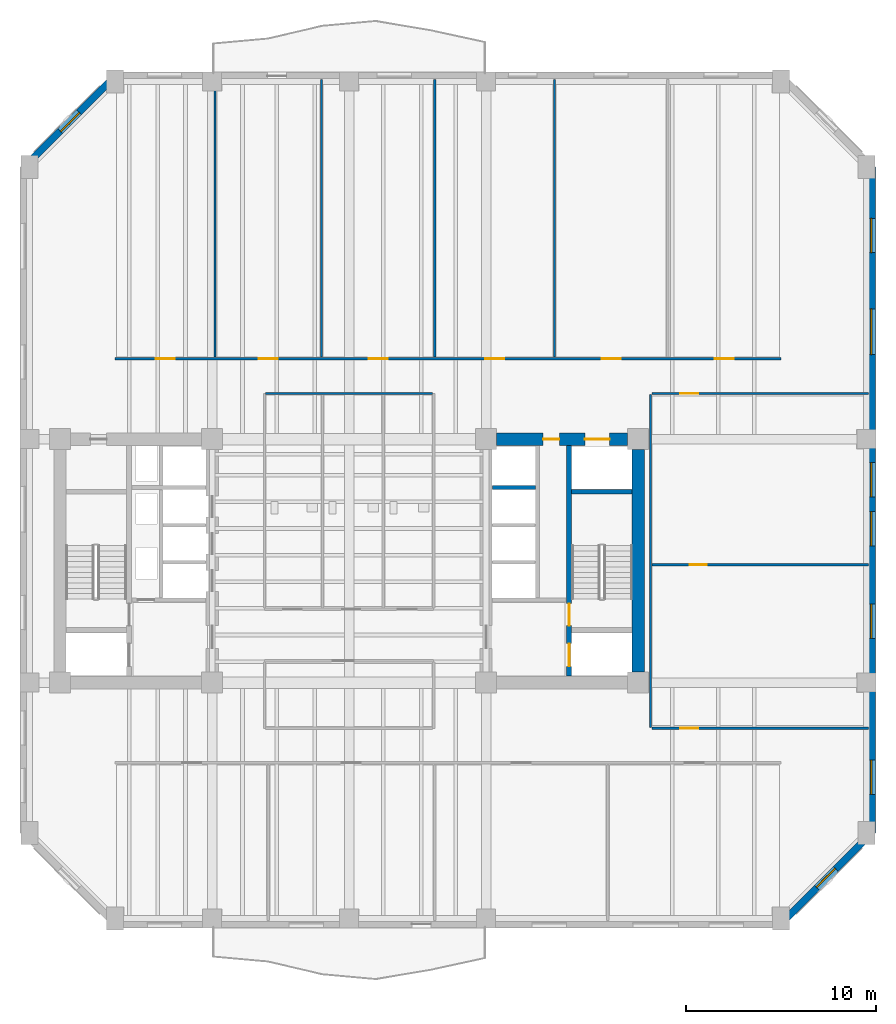
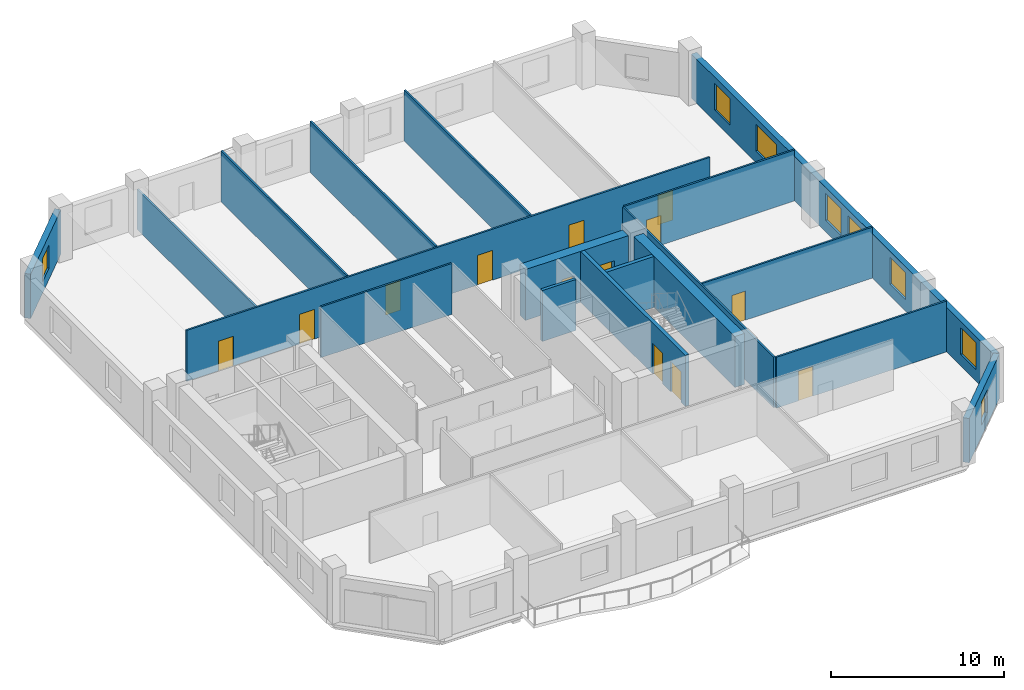
# One storey, part 4 of 9: 18 walls, 13 doors, 8 windows, 21 openings.
"""IFC4 building model written with IfcOpenShell, lengths in metres."""

import ifcopenshell
import ifcopenshell.guid

model = None  # the IFC model being written
_history = None  # IfcOwnerHistory: only IFC2X3 demands one
_inside = {}  # id of a spatial element -> (the spatial element, [elements in it])
_under = {}  # id of a project, library or spatial element -> (it, [spatial elements below it])
_declared = {}  # id of a project -> (the project, [libraries it declares])
_typed = {}  # id of a type object -> (the type object, [elements of that type])
_made_of = {}  # id of a material, layer set ... -> (it, [elements and type objects made of it])


def new_model(schema):
    """Start an empty IFC model of exactly this schema.

    Asked for "IFC4X3", IfcOpenShell would pick the latest addendum, in which some entities
    have other attributes; the version numbers below select the first issue.
    IFC2X3 requires an IfcOwnerHistory on every rooted entity: one is made here for all.
    """
    global model, _history
    if schema == "IFC4X3":
        model = ifcopenshell.file(schema_version=(4, 3, 0, 0))
    else:
        model = ifcopenshell.file(schema=schema)
    _inside.clear()
    _under.clear()
    _declared.clear()
    _typed.clear()
    _made_of.clear()
    _history = None
    if model.schema == "IFC2X3":
        org = make("IfcOrganization", Name="unknown")
        user = make(
            "IfcPersonAndOrganization",
            ThePerson=make("IfcPerson", FamilyName="unknown"),
            TheOrganization=org,
        )
        app = make(
            "IfcApplication",
            ApplicationDeveloper=org,
            Version="unknown",
            ApplicationFullName="unknown",
            ApplicationIdentifier="unknown",
        )
        _history = make(
            "IfcOwnerHistory",
            OwningUser=user,
            OwningApplication=app,
            ChangeAction="ADDED",
            CreationDate=0,
        )
    return model


def make(cls, **values):
    """One entity of the class cls with the attributes given. An attribute that is None is left unset."""
    return model.create_entity(
        cls, **{name: value for name, value in values.items() if value is not None}
    )


def rooted(cls, **values):
    """An entity with a GlobalId (a new one), such as an element, a storey or a relation."""
    return make(cls, GlobalId=ifcopenshell.guid.new(), OwnerHistory=_history, **values)


def si_unit(unit_type, name, prefix=None):
    """IfcSIUnit, for example si_unit("LENGTHUNIT", "METRE", prefix="MILLI")."""
    return make("IfcSIUnit", UnitType=unit_type, Prefix=prefix, Name=name)


def assignment(units):
    """IfcUnitAssignment: the units of a project."""
    return None if units is None else make("IfcUnitAssignment", Units=units)


def point(xyz):
    """IfcCartesianPoint."""
    return None if xyz is None else make("IfcCartesianPoint", Coordinates=xyz)


def direction(xyz):
    """IfcDirection."""
    return None if xyz is None else make("IfcDirection", DirectionRatios=xyz)


def frame(location, z_axis=None, x_axis=None):
    """IfcAxis2Placement3D, a coordinate frame: its origin and axes. An axis left out is left unset."""
    return make(
        "IfcAxis2Placement3D",
        Location=point(location),
        Axis=direction(z_axis),
        RefDirection=direction(x_axis),
    )


def frame_2d(location, x_axis=None):
    """IfcAxis2Placement2D, a coordinate frame in the plane: its origin and x axis."""
    return make(
        "IfcAxis2Placement2D", Location=point(location), RefDirection=direction(x_axis)
    )


def origin():
    """The frame at (0, 0, 0) with its axes left unset."""
    return frame((0.0, 0.0, 0.0))


def place(relative_to, where):
    """IfcLocalPlacement: puts the frame where relative to a parent placement (None: the world)."""
    return make(
        "IfcLocalPlacement", PlacementRelTo=relative_to, RelativePlacement=where
    )


def context(
    kind, dimensions, precision=None, world=None, true_north=None, identifier=None
):
    """IfcGeometricRepresentationContext, for example the 3D "Model" context."""
    return make(
        "IfcGeometricRepresentationContext",
        ContextIdentifier=identifier,
        ContextType=kind,
        CoordinateSpaceDimension=dimensions,
        Precision=precision,
        WorldCoordinateSystem=world,
        TrueNorth=true_north,
    )


def subcontext(parent, identifier, kind, view, scale=None):
    """IfcGeometricRepresentationSubContext, for example "Body" below "Model"."""
    return make(
        "IfcGeometricRepresentationSubContext",
        ContextIdentifier=identifier,
        ContextType=kind,
        ParentContext=parent,
        TargetScale=scale,
        TargetView=view,
    )


def project(units=None, contexts=None):
    """IfcProject with its units and contexts."""
    return rooted(
        "IfcProject",
        Name="project",
        RepresentationContexts=contexts,
        UnitsInContext=assignment(units),
    )


def spatial(cls, under=None, at=None, **own):
    """A site, building, storey or space (cls), placed at a placement, below another one or the project."""
    s = rooted(cls, ObjectPlacement=at, **own)
    if under is not None:
        _under.setdefault(under.id(), (under, []))[1].append(s)
    return s


def profile(cls, at=None, kind="AREA", **sizes):
    """A parametric profile (cls). Its sizes go by their IFC names, for example OverallWidth=200.0."""
    return make(cls, ProfileType=kind, Position=at, **sizes)


def rectangle(**sizes):
    """IfcRectangleProfileDef."""
    return profile("IfcRectangleProfileDef", **sizes)


def extrude(swept, where, along, depth):
    """IfcExtrudedAreaSolid: the profile swept, set in the frame where, extruded along a direction by depth."""
    return make(
        "IfcExtrudedAreaSolid",
        SweptArea=swept,
        Position=where,
        ExtrudedDirection=direction(along),
        Depth=depth,
    )


def shape(context_of_items, identifier, shape_type, items):
    """IfcShapeRepresentation: the items that make up one representation, for example the "Body"."""
    return make(
        "IfcShapeRepresentation",
        ContextOfItems=context_of_items,
        RepresentationIdentifier=identifier,
        RepresentationType=shape_type,
        Items=items,
    )


def material(Name=None, Category=None):
    """IfcMaterial."""
    return make("IfcMaterial", Name=Name, Category=Category)


def layer(
    of_material, thickness, ventilated=None, Name=None, Category=None, Priority=None
):
    """IfcMaterialLayer: one layer of a wall or slab, of a material (None: an air gap)."""
    return make(
        "IfcMaterialLayer",
        Material=of_material,
        LayerThickness=thickness,
        IsVentilated=ventilated,
        Name=Name,
        Category=Category,
        Priority=Priority,
    )


def layer_set(layers, Name=None):
    """IfcMaterialLayerSet."""
    return make("IfcMaterialLayerSet", MaterialLayers=layers, LayerSetName=Name)


def made_of(thing, what):
    """Note that an element or type object is made of a material, layer set ...; save() writes the relation."""
    if what is not None:
        _made_of.setdefault(what.id(), (what, []))[1].append(thing)
    return thing


def type_object(cls, material=None, **own):
    """A type object (cls), such as IfcWallType, which elements share."""
    return made_of(rooted(cls, **own), material)


def element(
    cls,
    number,
    at=None,
    inside=None,
    cuts=None,
    type_object=None,
    material=None,
    context=None,
    identifier="Body",
    shape_type=None,
    held_by="IfcProductDefinitionShape",
    body=None,
    shapes=None,
    **own,
):
    """One element of the class cls, such as IfcWall. Its Tag is "e" and its number.

    at: its placement. inside: the storey or other place that contains it. cuts: it is an
    opening in that element (IfcRelVoidsElement). A single representation is given by context,
    identifier, shape_type and body (its items); several are given by shapes. held_by: the class
    of the entity that holds the representations. save() writes the other relations.
    """
    e = rooted(cls, Tag="e%d" % number, ObjectPlacement=at, **own)
    if body is not None:
        shapes = [shape(context, identifier, shape_type, body)]
    if shapes is not None:
        e.Representation = make(held_by, Representations=shapes)
    if inside is not None:
        _inside.setdefault(inside.id(), (inside, []))[1].append(e)
    if cuts is not None:
        rooted(
            "IfcRelVoidsElement", RelatingBuildingElement=cuts, RelatedOpeningElement=e
        )
    if type_object is not None:
        _typed.setdefault(type_object.id(), (type_object, []))[1].append(e)
    return made_of(e, material)


def fill(opening, filler):
    """IfcRelFillsElement: the door or window that sits in an opening."""
    return rooted(
        "IfcRelFillsElement",
        RelatingOpeningElement=opening,
        RelatedBuildingElement=filler,
    )


def aggregate(whole, parts):
    """IfcRelAggregates: a whole, such as a stair, and the parts it consists of."""
    return rooted("IfcRelAggregates", RelatingObject=whole, RelatedObjects=parts)


def save(model, path):
    """Write the relations noted so far, then the file.

    IfcRelAggregates (storeys below a building ...), IfcRelContainedInSpatialStructure (elements
    in a storey), IfcRelDefinesByType, IfcRelAssociatesMaterial and IfcRelDeclares: one each for
    every whole, place, type object, material and project.
    """
    for whole, parts in _under.values():
        aggregate(whole, parts)
    for where, things in _inside.values():
        rooted(
            "IfcRelContainedInSpatialStructure",
            RelatedElements=things,
            RelatingStructure=where,
        )
    for kind, things in _typed.values():
        rooted("IfcRelDefinesByType", RelatedObjects=things, RelatingType=kind)
    for what, things in _made_of.values():
        rooted("IfcRelAssociatesMaterial", RelatedObjects=things, RelatingMaterial=what)
    for by, libraries in _declared.values():
        rooted("IfcRelDeclares", RelatingContext=by, RelatedDefinitions=libraries)
    model.write(path)


model = new_model("IFC4")

# Units and contexts
model_context = context("Model", 3, precision=1e-05, world=origin(), true_north=direction((0.0, 1.0)))
body_context = subcontext(model_context, "Body", "Model", "MODEL_VIEW")
ifc_project = project(units=[si_unit("LENGTHUNIT", "METRE"), si_unit("AREAUNIT", "SQUARE_METRE"), si_unit("VOLUMEUNIT", "CUBIC_METRE"), si_unit("PLANEANGLEUNIT", "RADIAN"), si_unit("MASSUNIT", "GRAM", prefix="KILO")], contexts=[model_context])

# Site, building, storey
site_placement = place(None, origin())
site = spatial("IfcSite", under=ifc_project, at=site_placement, CompositionType="ELEMENT")
building_placement = place(site_placement, origin())
building = spatial("IfcBuilding", under=site, at=building_placement, Name="Kranthara Brick Stack", CompositionType="ELEMENT")
storey_placement = place(building_placement, frame((0.0, 0.0, 86.699951171875)))
storey = spatial("IfcBuildingStorey", under=building, at=storey_placement, Name="L21", CompositionType="ELEMENT", Elevation=86.699951171875)

# Wall, opening, window
ifc_material_1 = material(Name="Kiln-fired clay brick masonry M15", Category="masonry")
ifc_layer_1 = layer(ifc_material_1, 0.3798828125)
ifc_layer_set_1 = layer_set([ifc_layer_1], Name="Kiln-fired clay brick masonry M15")
wall_type_1 = type_object("IfcWallType", Name="WL-BRK-PIER-380", PredefinedType="STANDARD", material=ifc_layer_set_1)
wall_1_placement = place(storey_placement, frame((10.909912109375, 47.89990234375, 0.0), z_axis=(0.0, 0.0, 1.0), x_axis=(0.707106781187, 0.707106781187, 0.0)))
wall_1 = element("IfcWall", 1, at=wall_1_placement, inside=storey, type_object=wall_type_1, Name="L21 Exterior Brick Facade Wall NW 1", PredefinedType="STANDARD", context=body_context, shape_type="SweptSolid", body=[
    extrude(rectangle(XDim=6.774169921875, YDim=0.3798828125, at=frame_2d((3.38720703125, 0.0))), origin(), (0.0, 0.0, 1.0), 3.135009765625),
])
opening_1_placement = place(wall_1_placement, frame((2.68701171875, 0.0, 0.800048828125)))
opening_1 = element("IfcOpeningElement", 2, at=opening_1_placement, cuts=wall_1, Name="Opening WN10", PredefinedType="OPENING", context=body_context, shape_type="SweptSolid", body=[
    extrude(rectangle(XDim=1.39990234375, YDim=1.64990234375, at=frame_2d((0.699951171875, 0.824951171875))), frame((0.0, 0.199951171875, 0.0), z_axis=(0.0, -1.0, 0.0), x_axis=(1.0, 0.0, 0.0)), (0.0, 0.0, 1.0), 0.39990234375),
])
ifc_material_2 = material(Name="Double-glazed low-E solar control glass", Category="glass")
window_type_1 = type_object("IfcWindowType", Name="WN-CHM-1400x1750", PartitioningType="SINGLE_PANEL", PredefinedType="WINDOW", material=ifc_material_2)
window_1_placement = place(opening_1_placement, origin())
window_1 = element("IfcWindow", 3, at=window_1_placement, inside=storey, type_object=window_type_1, Name="L21 NW Chamfer Corner Window", OverallHeight=1.64990234375, OverallWidth=1.39990234375, PartitioningType="SINGLE_PANEL", PredefinedType="WINDOW", context=body_context, shape_type="SweptSolid", body=[
    extrude(rectangle(XDim=1.39990234375, YDim=1.64990234375, at=frame_2d((0.699951171875, 0.824951171875))), frame((0.0, -0.010009765625, 0.0), z_axis=(0.0, -1.0, 0.0), x_axis=(1.0, 0.0, 0.0)), (0.0, 0.0, 1.0), 0.06005859375),
])
fill(opening_1, window_1)

# Wall, openings, windows
wall_2_placement = place(storey_placement, frame((55.489990234375, 47.89990234375, 0.0), z_axis=(0.0, 0.0, 1.0), x_axis=(0.0, -1.0, 0.0)))
wall_2 = element("IfcWall", 4, at=wall_2_placement, inside=storey, type_object=wall_type_1, Name="L21 Exterior Brick Facade Wall EAST 1", PredefinedType="STANDARD", context=body_context, shape_type="SweptSolid", body=[
    extrude(rectangle(XDim=35.0, YDim=0.3798828125, at=frame_2d((17.5, 0.0))), origin(), (0.0, 0.0, 1.0), 3.135009765625),
])
opening_2_placement = place(wall_2_placement, frame((2.693115234375, 0.0, 0.800048828125)))
opening_2 = element("IfcOpeningElement", 5, at=opening_2_placement, cuts=wall_2, Name="Opening WN01", PredefinedType="OPENING", context=body_context, shape_type="SweptSolid", body=[
    extrude(rectangle(XDim=1.800048828125, YDim=1.89990234375, at=frame_2d((0.89990234375, 0.949951171875))), frame((0.0, 0.199951171875, 0.0), z_axis=(0.0, -1.0, 0.0), x_axis=(1.0, 0.0, 0.0)), (0.0, 0.0, 1.0), 0.39990234375),
])
opening_3_placement = place(wall_2_placement, frame((7.45703125, 0.0, 0.800048828125)))
opening_3 = element("IfcOpeningElement", 6, at=opening_3_placement, cuts=wall_2, Name="Opening WN02", PredefinedType="OPENING", context=body_context, shape_type="SweptSolid", body=[
    extrude(rectangle(XDim=2.39990234375, YDim=1.89990234375, at=frame_2d((1.199951171875, 0.949951171875))), frame((0.0, 0.199951171875, 0.0), z_axis=(0.0, -1.0, 0.0), x_axis=(1.0, 0.0, 0.0)), (0.0, 0.0, 1.0), 0.39990234375),
])
opening_4_placement = place(wall_2_placement, frame((15.541015625, 0.0, 0.800048828125)))
opening_4 = element("IfcOpeningElement", 7, at=opening_4_placement, cuts=wall_2, Name="Opening WN01", PredefinedType="OPENING", context=body_context, shape_type="SweptSolid", body=[
    extrude(rectangle(XDim=1.800048828125, YDim=1.89990234375, at=frame_2d((0.89990234375, 0.949951171875))), frame((0.0, 0.199951171875, 0.0), z_axis=(0.0, -1.0, 0.0), x_axis=(1.0, 0.0, 0.0)), (0.0, 0.0, 1.0), 0.39990234375),
])
opening_5_placement = place(wall_2_placement, frame((18.10888671875, 0.0, 0.800048828125)))
opening_5 = element("IfcOpeningElement", 8, at=opening_5_placement, cuts=wall_2, Name="Opening WN01", PredefinedType="OPENING", context=body_context, shape_type="SweptSolid", body=[
    extrude(rectangle(XDim=1.800048828125, YDim=1.89990234375, at=frame_2d((0.89990234375, 0.949951171875))), frame((0.0, 0.199951171875, 0.0), z_axis=(0.0, -1.0, 0.0), x_axis=(1.0, 0.0, 0.0)), (0.0, 0.0, 1.0), 0.39990234375),
])
opening_6_placement = place(wall_2_placement, frame((22.97509765625, 0.0, 0.800048828125)))
opening_6 = element("IfcOpeningElement", 9, at=opening_6_placement, cuts=wall_2, Name="Opening WN01", PredefinedType="OPENING", context=body_context, shape_type="SweptSolid", body=[
    extrude(rectangle(XDim=1.800048828125, YDim=1.89990234375, at=frame_2d((0.89990234375, 0.949951171875))), frame((0.0, 0.199951171875, 0.0), z_axis=(0.0, -1.0, 0.0), x_axis=(1.0, 0.0, 0.0)), (0.0, 0.0, 1.0), 0.39990234375),
])
opening_7_placement = place(wall_2_placement, frame((31.175048828125, 0.0, 0.800048828125)))
opening_7 = element("IfcOpeningElement", 10, at=opening_7_placement, cuts=wall_2, Name="Opening WN01", PredefinedType="OPENING", context=body_context, shape_type="SweptSolid", body=[
    extrude(rectangle(XDim=1.800048828125, YDim=1.89990234375, at=frame_2d((0.89990234375, 0.949951171875))), frame((0.0, 0.199951171875, 0.0), z_axis=(0.0, -1.0, 0.0), x_axis=(1.0, 0.0, 0.0)), (0.0, 0.0, 1.0), 0.39990234375),
])
ifc_material_3 = material(Name="Double-glazed low-E solar control glass", Category="glass")
window_type_2 = type_object("IfcWindowType", Name="WN-OFF-1800x2000", PartitioningType="SINGLE_PANEL", PredefinedType="WINDOW", material=ifc_material_3)
window_2_placement = place(opening_2_placement, origin())
window_2 = element("IfcWindow", 11, at=window_2_placement, inside=storey, type_object=window_type_2, Name="L21 East Deep-Set Brick Window 01", OverallHeight=1.89990234375, OverallWidth=1.800048828125, PartitioningType="SINGLE_PANEL", PredefinedType="WINDOW", context=body_context, shape_type="SweptSolid", body=[
    extrude(rectangle(XDim=1.800048828125, YDim=1.89990234375, at=frame_2d((0.89990234375, 0.949951171875))), frame((0.0, -0.010009765625, 0.0), z_axis=(0.0, -1.0, 0.0), x_axis=(1.0, 0.0, 0.0)), (0.0, 0.0, 1.0), 0.06005859375),
])
fill(opening_2, window_2)
window_3_placement = place(opening_4_placement, origin())
window_3 = element("IfcWindow", 12, at=window_3_placement, inside=storey, type_object=window_type_2, Name="L21 East Deep-Set Brick Window 03", OverallHeight=1.89990234375, OverallWidth=1.800048828125, PartitioningType="SINGLE_PANEL", PredefinedType="WINDOW", context=body_context, shape_type="SweptSolid", body=[
    extrude(rectangle(XDim=1.800048828125, YDim=1.89990234375, at=frame_2d((0.89990234375, 0.949951171875))), frame((0.0, -0.010009765625, 0.0), z_axis=(0.0, -1.0, 0.0), x_axis=(1.0, 0.0, 0.0)), (0.0, 0.0, 1.0), 0.06005859375),
])
fill(opening_4, window_3)
window_4_placement = place(opening_5_placement, origin())
window_4 = element("IfcWindow", 13, at=window_4_placement, inside=storey, type_object=window_type_2, Name="L21 East Deep-Set Brick Window 04", OverallHeight=1.89990234375, OverallWidth=1.800048828125, PartitioningType="SINGLE_PANEL", PredefinedType="WINDOW", context=body_context, shape_type="SweptSolid", body=[
    extrude(rectangle(XDim=1.800048828125, YDim=1.89990234375, at=frame_2d((0.89990234375, 0.949951171875))), frame((0.0, -0.010009765625, 0.0), z_axis=(0.0, -1.0, 0.0), x_axis=(1.0, 0.0, 0.0)), (0.0, 0.0, 1.0), 0.06005859375),
])
fill(opening_5, window_4)
window_5_placement = place(opening_6_placement, origin())
window_5 = element("IfcWindow", 14, at=window_5_placement, inside=storey, type_object=window_type_2, Name="L21 East Deep-Set Brick Window 05", OverallHeight=1.89990234375, OverallWidth=1.800048828125, PartitioningType="SINGLE_PANEL", PredefinedType="WINDOW", context=body_context, shape_type="SweptSolid", body=[
    extrude(rectangle(XDim=1.800048828125, YDim=1.89990234375, at=frame_2d((0.89990234375, 0.949951171875))), frame((0.0, -0.010009765625, 0.0), z_axis=(0.0, -1.0, 0.0), x_axis=(1.0, 0.0, 0.0)), (0.0, 0.0, 1.0), 0.06005859375),
])
fill(opening_6, window_5)
window_6_placement = place(opening_7_placement, origin())
window_6 = element("IfcWindow", 15, at=window_6_placement, inside=storey, type_object=window_type_2, Name="L21 East Deep-Set Brick Window 06", OverallHeight=1.89990234375, OverallWidth=1.800048828125, PartitioningType="SINGLE_PANEL", PredefinedType="WINDOW", context=body_context, shape_type="SweptSolid", body=[
    extrude(rectangle(XDim=1.800048828125, YDim=1.89990234375, at=frame_2d((0.89990234375, 0.949951171875))), frame((0.0, -0.010009765625, 0.0), z_axis=(0.0, -1.0, 0.0), x_axis=(1.0, 0.0, 0.0)), (0.0, 0.0, 1.0), 0.06005859375),
])
fill(opening_7, window_6)
ifc_material_4 = material(Name="Double-glazed low-E solar control glass", Category="glass")
window_type_3 = type_object("IfcWindowType", Name="WN-OFF-2400x2000", PartitioningType="DOUBLE_PANEL_VERTICAL", PredefinedType="WINDOW", material=ifc_material_4)
window_7_placement = place(opening_3_placement, origin())
window_7 = element("IfcWindow", 16, at=window_7_placement, inside=storey, type_object=window_type_3, Name="L21 East Deep-Set Brick Window 02", OverallHeight=1.89990234375, OverallWidth=2.39990234375, PartitioningType="SINGLE_PANEL", PredefinedType="WINDOW", context=body_context, shape_type="SweptSolid", body=[
    extrude(rectangle(XDim=2.39990234375, YDim=1.89990234375, at=frame_2d((1.199951171875, 0.949951171875))), frame((0.0, -0.010009765625, 0.0), z_axis=(0.0, -1.0, 0.0), x_axis=(1.0, 0.0, 0.0)), (0.0, 0.0, 1.0), 0.06005859375),
])
fill(opening_3, window_7)

# Wall, opening, window
wall_3_placement = place(storey_placement, frame((55.489990234375, 12.89990234375, 0.0), z_axis=(0.0, 0.0, 1.0), x_axis=(-0.707124801467, -0.707088760447, 0.0)))
wall_3 = element("IfcWall", 17, at=wall_3_placement, inside=storey, type_object=wall_type_1, Name="L21 Exterior Brick Facade Wall SE 1", PredefinedType="STANDARD", context=body_context, shape_type="SweptSolid", body=[
    extrude(rectangle(XDim=6.77392578125, YDim=0.3798828125, at=frame_2d((3.386962890625, 0.0))), origin(), (0.0, 0.0, 1.0), 3.135009765625),
])
opening_8_placement = place(wall_3_placement, frame((2.68701171875, 0.0, 0.800048828125)))
opening_8 = element("IfcOpeningElement", 18, at=opening_8_placement, cuts=wall_3, Name="Opening WN10", PredefinedType="OPENING", context=body_context, shape_type="SweptSolid", body=[
    extrude(rectangle(XDim=1.39990234375, YDim=1.64990234375, at=frame_2d((0.699951171875, 0.824951171875))), frame((0.0, 0.199951171875, 0.0), z_axis=(0.0, -1.0, 0.0), x_axis=(1.0, 0.0, 0.0)), (0.0, 0.0, 1.0), 0.39990234375),
])
window_8_placement = place(opening_8_placement, origin())
window_8 = element("IfcWindow", 19, at=window_8_placement, inside=storey, type_object=window_type_1, Name="L21 SE Chamfer Corner Window", OverallHeight=1.64990234375, OverallWidth=1.39990234375, PartitioningType="SINGLE_PANEL", PredefinedType="WINDOW", context=body_context, shape_type="SweptSolid", body=[
    extrude(rectangle(XDim=1.39990234375, YDim=1.64990234375, at=frame_2d((0.699951171875, 0.824951171875))), frame((0.0, -0.010009765625, 0.0), z_axis=(0.0, -1.0, 0.0), x_axis=(1.0, 0.0, 0.0)), (0.0, 0.0, 1.0), 0.06005859375),
])
fill(opening_8, window_8)

# Wall, openings, doors
ifc_material_5 = material(Name="Concrete C50/60", Category="concrete")
ifc_layer_2 = layer(ifc_material_5, 0.25)
ifc_layer_set_2 = layer_set([ifc_layer_2], Name="Concrete C50/60")
wall_type_2 = type_object("IfcWallType", Name="WL-CORE-250", PredefinedType="SHEAR", material=ifc_layer_set_2)
wall_4_placement = place(storey_placement, frame((39.56494140625, 21.135009765625, 0.0), z_axis=(0.0, 0.0, 1.0), x_axis=(0.0, 1.0, 0.0)))
wall_4 = element("IfcWall", 20, at=wall_4_placement, inside=storey, type_object=wall_type_2, Name="L21 East Core Stair Bearing Spine Wall", PredefinedType="SHEAR", context=body_context, shape_type="SweptSolid", body=[
    extrude(rectangle(XDim=12.1298828125, YDim=0.25, at=frame_2d((6.06494140625, 0.0))), origin(), (0.0, 0.0, 1.0), 3.60009765625),
])
opening_9_placement = place(wall_4_placement, frame((0.514892578125, 0.0, 0.0)))
opening_9 = element("IfcOpeningElement", 21, at=opening_9_placement, cuts=wall_4, Name="Opening LD01", PredefinedType="OPENING", context=body_context, shape_type="SweptSolid", body=[
    extrude(rectangle(XDim=1.199951171875, YDim=2.14990234375, at=frame_2d((0.60009765625, 1.074951171875))), frame((0.0, 0.135009765625, 0.0), z_axis=(0.0, -1.0, 0.0), x_axis=(1.0, 0.0, 0.0)), (0.0, 0.0, 1.0), 0.27001953125),
])
opening_10_placement = place(wall_4_placement, frame((2.6650390625, 0.0, 0.0)))
opening_10 = element("IfcOpeningElement", 22, at=opening_10_placement, cuts=wall_4, Name="Opening D05", PredefinedType="OPENING", context=body_context, shape_type="SweptSolid", body=[
    extrude(rectangle(XDim=1.14990234375, YDim=2.14990234375, at=frame_2d((0.574951171875, 1.074951171875))), frame((0.0, 0.135009765625, 0.0), z_axis=(0.0, -1.0, 0.0), x_axis=(1.0, 0.0, 0.0)), (0.0, 0.0, 1.0), 0.27001953125),
])
ifc_material_6 = material(Name="Stainless steel sliding landing door", Category="steel")
door_type_1 = type_object("IfcDoorType", Name="DR-LD-FF1200", OperationType="DOUBLE_DOOR_SLIDING", PredefinedType="DOOR", material=ifc_material_6)
door_1_placement = place(opening_9_placement, origin())
door_1 = element("IfcDoor", 23, at=door_1_placement, inside=storey, type_object=door_type_1, Name="L21 Firefighting Lift FF-02 Landing Door", OperationType="DOUBLE_DOOR_SLIDING", OverallHeight=2.14990234375, OverallWidth=1.199951171875, PredefinedType="DOOR", context=body_context, shape_type="SweptSolid", body=[
    extrude(rectangle(XDim=1.199951171875, YDim=2.14990234375, at=frame_2d((0.60009765625, 1.074951171875))), frame((0.0, 0.02490234375, 0.0), z_axis=(0.0, -1.0, 0.0), x_axis=(1.0, 0.0, 0.0)), (0.0, 0.0, 1.0), 0.050048828125),
])
fill(opening_9, door_1)
ifc_material_7 = material(Name="Solid-core hardwood timber leaf in steel frame", Category="steel")
door_type_2 = type_object("IfcDoorType", Name="DR-ST-1150", OperationType="NOTDEFINED", PredefinedType="DOOR", material=ifc_material_7)
door_2_placement = place(opening_10_placement, origin())
door_2 = element("IfcDoor", 24, at=door_2_placement, inside=storey, type_object=door_type_2, Name="L21 Exit Stair ST02 Door", OperationType="SINGLE_SWING_LEFT", OverallHeight=2.14990234375, OverallWidth=1.14990234375, PredefinedType="DOOR", context=body_context, shape_type="SweptSolid", body=[
    extrude(rectangle(XDim=1.14990234375, YDim=2.14990234375, at=frame_2d((0.574951171875, 1.074951171875))), frame((0.0, 0.02490234375, 0.0), z_axis=(0.0, -1.0, 0.0), x_axis=(1.0, 0.0, 0.0)), (0.0, 0.0, 1.0), 0.050048828125),
])
fill(opening_10, door_2)

# Walls
wall_5_placement = place(storey_placement, frame((39.68994140625, 30.830078125, 0.0), z_axis=(0.0, 0.0, 1.0), x_axis=(1.0, 0.0, 0.0)))
element("IfcWall", 25, at=wall_5_placement, inside=storey, type_object=wall_type_2, Name="L21 East Stairwell Bearing Wall EST", PredefinedType="SHEAR", context=body_context, shape_type="SweptSolid", body=[
    extrude(rectangle(XDim=3.175048828125, YDim=0.25, at=frame_2d((1.58740234375, 0.0))), origin(), (0.0, 0.0, 1.0), 3.60009765625),
])
ifc_material_8 = material(Name="Concrete C60/75", Category="concrete")
ifc_layer_3 = layer(ifc_material_8, 0.64990234375)
ifc_layer_set_3 = layer_set([ifc_layer_3], Name="Concrete C60/75")
wall_type_3 = type_object("IfcWallType", Name="WL-CORE-650", PredefinedType="SHEAR", material=ifc_layer_set_3)
wall_6_placement = place(storey_placement, frame((43.199951171875, 21.35498046875, 0.0), z_axis=(0.0, 0.0, 1.0), x_axis=(0.0, 1.0, 0.0)))
element("IfcWall", 26, at=wall_6_placement, inside=storey, type_object=wall_type_3, Name="L21 East Core Shear Wall East", PredefinedType="SHEAR", context=body_context, shape_type="SweptSolid", body=[
    extrude(rectangle(XDim=11.68994140625, YDim=0.64990234375, at=frame_2d((5.844970703125, 0.0))), origin(), (0.0, 0.0, 1.0), 3.60009765625),
])

# Wall, openings, doors
wall_7_placement = place(storey_placement, frame((35.7548828125, 33.60009765625, 0.0), z_axis=(0.0, 0.0, 1.0), x_axis=(1.0, 0.0, 0.0)))
wall_7 = element("IfcWall", 27, at=wall_7_placement, inside=storey, type_object=wall_type_3, Name="L21 East Core Shear Wall North", PredefinedType="SHEAR", context=body_context, shape_type="SweptSolid", body=[
    extrude(rectangle(XDim=6.89013671875, YDim=0.64990234375, at=frame_2d((3.445068359375, 0.0))), origin(), (0.0, 0.0, 1.0), 3.60009765625),
])
opening_11_placement = place(wall_7_placement, frame((4.64501953125, 0.0, 0.0)))
opening_11 = element("IfcOpeningElement", 28, at=opening_11_placement, cuts=wall_7, Name="Opening LD03", PredefinedType="OPENING", context=body_context, shape_type="SweptSolid", body=[
    extrude(rectangle(XDim=1.300048828125, YDim=2.14990234375, at=frame_2d((0.64990234375, 1.074951171875))), frame((0.0, 0.3349609375, 0.0), z_axis=(0.0, -1.0, 0.0), x_axis=(1.0, 0.0, 0.0)), (0.0, 0.0, 1.0), 0.669921875),
])
opening_12_placement = place(wall_7_placement, frame((2.445068359375, 0.0, 0.0)))
opening_12 = element("IfcOpeningElement", 29, at=opening_12_placement, cuts=wall_7, Name="Opening D10", PredefinedType="OPENING", context=body_context, shape_type="SweptSolid", body=[
    extrude(rectangle(XDim=0.85009765625, YDim=2.02001953125, at=frame_2d((0.425048828125, 1.010009765625))), frame((0.0, 0.3349609375, 0.0), z_axis=(0.0, -1.0, 0.0), x_axis=(1.0, 0.0, 0.0)), (0.0, 0.0, 1.0), 0.669921875),
])
ifc_material_9 = material(Name="Stainless steel sliding landing door", Category="steel")
door_type_3 = type_object("IfcDoorType", Name="DR-LD-SV1300", OperationType="DOUBLE_DOOR_SLIDING", PredefinedType="DOOR", material=ifc_material_9)
door_3_placement = place(opening_11_placement, origin())
door_3 = element("IfcDoor", 30, at=door_3_placement, inside=storey, type_object=door_type_3, Name="L21 Stretcher Service Lift SV-01 Landing Door", OperationType="DOUBLE_DOOR_SLIDING", OverallHeight=2.14990234375, OverallWidth=1.300048828125, PredefinedType="DOOR", context=body_context, shape_type="SweptSolid", body=[
    extrude(rectangle(XDim=1.300048828125, YDim=2.14990234375, at=frame_2d((0.64990234375, 1.074951171875))), frame((0.0, 0.02490234375, 0.0), z_axis=(0.0, -1.0, 0.0), x_axis=(1.0, 0.0, 0.0)), (0.0, 0.0, 1.0), 0.050048828125),
])
fill(opening_11, door_3)
ifc_material_10 = material(Name="Solid-core hardwood timber leaf in steel frame", Category="steel")
door_type_4 = type_object("IfcDoorType", Name="DR-RSR-850", OperationType="NOTDEFINED", PredefinedType="DOOR", material=ifc_material_10)
door_4_placement = place(opening_12_placement, origin())
door_4 = element("IfcDoor", 31, at=door_4_placement, inside=storey, type_object=door_type_4, Name="L21 East Core Service Room Door", OperationType="SINGLE_SWING_LEFT", OverallHeight=2.02001953125, OverallWidth=0.85009765625, PredefinedType="DOOR", context=body_context, shape_type="SweptSolid", body=[
    extrude(rectangle(XDim=0.85009765625, YDim=2.02001953125, at=frame_2d((0.425048828125, 1.010009765625))), frame((0.0, 0.02490234375, 0.0), z_axis=(0.0, -1.0, 0.0), x_axis=(1.0, 0.0, 0.0)), (0.0, 0.0, 1.0), 0.050048828125),
])
fill(opening_12, door_4)

# Wall
ifc_material_11 = material(Name="Acoustic gypsum plasterboard partition", Category="other")
ifc_layer_4 = layer(ifc_material_11, 0.1201171875)
ifc_layer_set_4 = layer_set([ifc_layer_4], Name="Acoustic gypsum plasterboard partition")
wall_type_4 = type_object("IfcWallType", Name="WL-PART-120", PredefinedType="PARTITIONING", material=ifc_layer_set_4)
wall_8_placement = place(storey_placement, frame((23.614990234375, 36.0, 0.0), z_axis=(0.0, 0.0, 1.0), x_axis=(1.0, 0.0, 0.0)))
element("IfcWall", 32, at=wall_8_placement, inside=storey, type_object=wall_type_4, Name="L21 Interior Partition 006", PredefinedType="PARTITIONING", context=body_context, shape_type="SweptSolid", body=[
    extrude(rectangle(XDim=8.77001953125, YDim=0.1201171875, at=frame_2d((4.385009765625, 0.0))), origin(), (0.0, 0.0, 1.0), 3.60009765625),
])

# Wall, openings, doors
wall_9_placement = place(storey_placement, frame((15.699951171875, 37.820068359375, 0.0), z_axis=(0.0, 0.0, 1.0), x_axis=(1.0, 0.0, 0.0)))
wall_9 = element("IfcWall", 33, at=wall_9_placement, inside=storey, type_object=wall_type_4, Name="L21 Interior Partition 015", PredefinedType="PARTITIONING", context=body_context, shape_type="SweptSolid", body=[
    extrude(rectangle(XDim=35.0, YDim=0.1201171875, at=frame_2d((17.5, 0.0))), origin(), (0.0, 0.0, 1.0), 3.60009765625),
])
opening_13_placement = place(wall_9_placement, frame((2.125, 0.0, 0.0)))
opening_13 = element("IfcOpeningElement", 34, at=opening_13_placement, cuts=wall_9, Name="Opening D13", PredefinedType="OPENING", context=body_context, shape_type="SweptSolid", body=[
    extrude(rectangle(XDim=1.0, YDim=2.10009765625, at=frame_2d((0.5, 1.050048828125))), frame((0.0, 0.070068359375, 0.0), z_axis=(0.0, -1.0, 0.0), x_axis=(1.0, 0.0, 0.0)), (0.0, 0.0, 1.0), 0.14013671875),
])
opening_14_placement = place(wall_9_placement, frame((7.550048828125, 0.0, 0.0)))
opening_14 = element("IfcOpeningElement", 35, at=opening_14_placement, cuts=wall_9, Name="Opening D13", PredefinedType="OPENING", context=body_context, shape_type="SweptSolid", body=[
    extrude(rectangle(XDim=1.0, YDim=2.10009765625, at=frame_2d((0.5, 1.050048828125))), frame((0.0, 0.070068359375, 0.0), z_axis=(0.0, -1.0, 0.0), x_axis=(1.0, 0.0, 0.0)), (0.0, 0.0, 1.0), 0.14013671875),
])
opening_15_placement = place(wall_9_placement, frame((13.324951171875, 0.0, 0.0)))
opening_15 = element("IfcOpeningElement", 36, at=opening_15_placement, cuts=wall_9, Name="Opening D13", PredefinedType="OPENING", context=body_context, shape_type="SweptSolid", body=[
    extrude(rectangle(XDim=1.0, YDim=2.10009765625, at=frame_2d((0.5, 1.050048828125))), frame((0.0, 0.070068359375, 0.0), z_axis=(0.0, -1.0, 0.0), x_axis=(1.0, 0.0, 0.0)), (0.0, 0.0, 1.0), 0.14013671875),
])
opening_16_placement = place(wall_9_placement, frame((19.449951171875, 0.0, 0.0)))
opening_16 = element("IfcOpeningElement", 37, at=opening_16_placement, cuts=wall_9, Name="Opening D13", PredefinedType="OPENING", context=body_context, shape_type="SweptSolid", body=[
    extrude(rectangle(XDim=1.0, YDim=2.10009765625, at=frame_2d((0.5, 1.050048828125))), frame((0.0, 0.070068359375, 0.0), z_axis=(0.0, -1.0, 0.0), x_axis=(1.0, 0.0, 0.0)), (0.0, 0.0, 1.0), 0.14013671875),
])
opening_17_placement = place(wall_9_placement, frame((25.574951171875, 0.0, 0.0)))
opening_17 = element("IfcOpeningElement", 38, at=opening_17_placement, cuts=wall_9, Name="Opening D13", PredefinedType="OPENING", context=body_context, shape_type="SweptSolid", body=[
    extrude(rectangle(XDim=1.0, YDim=2.10009765625, at=frame_2d((0.5, 1.050048828125))), frame((0.0, 0.070068359375, 0.0), z_axis=(0.0, -1.0, 0.0), x_axis=(1.0, 0.0, 0.0)), (0.0, 0.0, 1.0), 0.14013671875),
])
opening_18_placement = place(wall_9_placement, frame((31.52490234375, 0.0, 0.0)))
opening_18 = element("IfcOpeningElement", 39, at=opening_18_placement, cuts=wall_9, Name="Opening D13", PredefinedType="OPENING", context=body_context, shape_type="SweptSolid", body=[
    extrude(rectangle(XDim=1.0, YDim=2.10009765625, at=frame_2d((0.5, 1.050048828125))), frame((0.0, 0.070068359375, 0.0), z_axis=(0.0, -1.0, 0.0), x_axis=(1.0, 0.0, 0.0)), (0.0, 0.0, 1.0), 0.14013671875),
])
ifc_material_12 = material(Name="Solid-core hardwood timber leaf in steel frame", Category="steel")
door_type_5 = type_object("IfcDoorType", Name="DR-INT-1000", OperationType="NOTDEFINED", PredefinedType="DOOR", material=ifc_material_12)
door_5_placement = place(opening_13_placement, origin())
door_5 = element("IfcDoor", 40, at=door_5_placement, inside=storey, type_object=door_type_5, Name="L21 Executive Cellular Office 09", OperationType="SINGLE_SWING_LEFT", OverallHeight=2.10009765625, OverallWidth=1.0, PredefinedType="DOOR", context=body_context, shape_type="SweptSolid", body=[
    extrude(rectangle(XDim=1.0, YDim=2.10009765625, at=frame_2d((0.5, 1.050048828125))), frame((0.0, 0.02490234375, 0.0), z_axis=(0.0, -1.0, 0.0), x_axis=(1.0, 0.0, 0.0)), (0.0, 0.0, 1.0), 0.050048828125),
])
fill(opening_13, door_5)
door_6_placement = place(opening_14_placement, origin())
door_6 = element("IfcDoor", 41, at=door_6_placement, inside=storey, type_object=door_type_5, Name="L21 Executive Cellular Office 10", OperationType="SINGLE_SWING_RIGHT", OverallHeight=2.10009765625, OverallWidth=1.0, PredefinedType="DOOR", context=body_context, shape_type="SweptSolid", body=[
    extrude(rectangle(XDim=1.0, YDim=2.10009765625, at=frame_2d((0.5, 1.050048828125))), frame((0.0, 0.02490234375, 0.0), z_axis=(0.0, -1.0, 0.0), x_axis=(1.0, 0.0, 0.0)), (0.0, 0.0, 1.0), 0.050048828125),
])
fill(opening_14, door_6)
door_7_placement = place(opening_15_placement, origin())
door_7 = element("IfcDoor", 42, at=door_7_placement, inside=storey, type_object=door_type_5, Name="L21 Executive Cellular Office 11", OperationType="SINGLE_SWING_LEFT", OverallHeight=2.10009765625, OverallWidth=1.0, PredefinedType="DOOR", context=body_context, shape_type="SweptSolid", body=[
    extrude(rectangle(XDim=1.0, YDim=2.10009765625, at=frame_2d((0.5, 1.050048828125))), frame((0.0, 0.02490234375, 0.0), z_axis=(0.0, -1.0, 0.0), x_axis=(1.0, 0.0, 0.0)), (0.0, 0.0, 1.0), 0.050048828125),
])
fill(opening_15, door_7)
door_8_placement = place(opening_16_placement, origin())
door_8 = element("IfcDoor", 43, at=door_8_placement, inside=storey, type_object=door_type_5, Name="L21 Executive Cellular Office 12", OperationType="SINGLE_SWING_RIGHT", OverallHeight=2.10009765625, OverallWidth=1.0, PredefinedType="DOOR", context=body_context, shape_type="SweptSolid", body=[
    extrude(rectangle(XDim=1.0, YDim=2.10009765625, at=frame_2d((0.5, 1.050048828125))), frame((0.0, 0.02490234375, 0.0), z_axis=(0.0, -1.0, 0.0), x_axis=(1.0, 0.0, 0.0)), (0.0, 0.0, 1.0), 0.050048828125),
])
fill(opening_16, door_8)
door_9_placement = place(opening_17_placement, origin())
door_9 = element("IfcDoor", 44, at=door_9_placement, inside=storey, type_object=door_type_5, Name="L21 Focus Study Room 13", OperationType="SINGLE_SWING_LEFT", OverallHeight=2.10009765625, OverallWidth=1.0, PredefinedType="DOOR", context=body_context, shape_type="SweptSolid", body=[
    extrude(rectangle(XDim=1.0, YDim=2.10009765625, at=frame_2d((0.5, 1.050048828125))), frame((0.0, 0.02490234375, 0.0), z_axis=(0.0, -1.0, 0.0), x_axis=(1.0, 0.0, 0.0)), (0.0, 0.0, 1.0), 0.050048828125),
])
fill(opening_17, door_9)
door_10_placement = place(opening_18_placement, origin())
door_10 = element("IfcDoor", 45, at=door_10_placement, inside=storey, type_object=door_type_5, Name="L21 Staff Pantry 14", OperationType="SINGLE_SWING_RIGHT", OverallHeight=2.10009765625, OverallWidth=1.0, PredefinedType="DOOR", context=body_context, shape_type="SweptSolid", body=[
    extrude(rectangle(XDim=1.0, YDim=2.10009765625, at=frame_2d((0.5, 1.050048828125))), frame((0.0, 0.02490234375, 0.0), z_axis=(0.0, -1.0, 0.0), x_axis=(1.0, 0.0, 0.0)), (0.0, 0.0, 1.0), 0.050048828125),
])
fill(opening_18, door_10)

# Walls
wall_10_placement = place(storey_placement, frame((20.949951171875, 37.919921875, 0.0), z_axis=(0.0, 0.0, 1.0), x_axis=(0.0, 1.0, 0.0)))
element("IfcWall", 46, at=wall_10_placement, inside=storey, type_object=wall_type_4, Name="L21 Interior Partition 016", PredefinedType="PARTITIONING", context=body_context, shape_type="SweptSolid", body=[
    extrude(rectangle(XDim=14.5751953125, YDim=0.1201171875, at=frame_2d((7.28759765625, 0.0))), origin(), (0.0, 0.0, 1.0), 2.8349609375),
])
for number, where, z_axis, x_axis, name in (
    (47, (26.550048828125, 37.919921875, 0.0), (0.0, 0.0, 1.0), (0.0, 1.0, 0.0), "L21 Interior Partition 017"),
    (48, (32.5, 37.919921875, 0.0), (0.0, 0.0, 1.0), (0.0, 1.0, 0.0), "L21 Interior Partition 018"),
    (49, (38.800048828125, 37.919921875, 0.0), (0.0, 0.0, 1.0), (0.0, 1.0, 0.0), "L21 Interior Partition 019"),
):
    element("IfcWall", number, at=place(storey_placement, frame(where, z_axis=z_axis, x_axis=x_axis)), inside=storey, type_object=wall_type_4, Name=name, PredefinedType="PARTITIONING", context=body_context, shape_type="SweptSolid", body=[
        extrude(rectangle(XDim=14.5751953125, YDim=0.1201171875, at=frame_2d((7.28759765625, 0.0))), origin(), (0.0, 0.0, 1.0), 3.60009765625),
    ])
wall_11_placement = place(storey_placement, frame((43.85009765625, 18.449951171875, 0.0), z_axis=(0.0, 0.0, 1.0), x_axis=(0.0, 1.0, 0.0)))
element("IfcWall", 50, at=wall_11_placement, inside=storey, type_object=wall_type_4, Name="L21 Interior Partition 021", PredefinedType="PARTITIONING", context=body_context, shape_type="SweptSolid", body=[
    extrude(rectangle(XDim=17.5, YDim=0.1201171875, at=frame_2d((8.75, 0.0))), origin(), (0.0, 0.0, 1.0), 3.60009765625),
])

# Wall, opening, door
wall_12_placement = place(storey_placement, frame((43.9150390625, 18.39990234375, 0.0), z_axis=(0.0, 0.0, 1.0), x_axis=(1.0, 0.0, 0.0)))
wall_12 = element("IfcWall", 51, at=wall_12_placement, inside=storey, type_object=wall_type_4, Name="L21 Interior Partition 022", PredefinedType="PARTITIONING", context=body_context, shape_type="SweptSolid", body=[
    extrude(rectangle(XDim=11.3798828125, YDim=0.1201171875, at=frame_2d((5.68994140625, 0.0))), origin(), (0.0, 0.0, 1.0), 3.60009765625),
])
opening_19_placement = place(wall_12_placement, frame((1.485107421875, 0.0, 0.0)))
opening_19 = element("IfcOpeningElement", 52, at=opening_19_placement, cuts=wall_12, Name="Opening D14", PredefinedType="OPENING", context=body_context, shape_type="SweptSolid", body=[
    extrude(rectangle(XDim=0.949951171875, YDim=2.10009765625, at=frame_2d((0.47509765625, 1.050048828125))), frame((0.0, 0.070068359375, 0.0), z_axis=(0.0, -1.0, 0.0), x_axis=(1.0, 0.0, 0.0)), (0.0, 0.0, 1.0), 0.14013671875),
])
ifc_material_13 = material(Name="Solid-core hardwood timber leaf in steel frame", Category="steel")
door_type_6 = type_object("IfcDoorType", Name="DR-INT-950", OperationType="NOTDEFINED", PredefinedType="DOOR", material=ifc_material_13)
door_11_placement = place(opening_19_placement, origin())
door_11 = element("IfcDoor", 53, at=door_11_placement, inside=storey, type_object=door_type_6, Name="L21 East South Office 16", OperationType="SINGLE_SWING_RIGHT", OverallHeight=2.10009765625, OverallWidth=0.949951171875, PredefinedType="DOOR", context=body_context, shape_type="SweptSolid", body=[
    extrude(rectangle(XDim=0.949951171875, YDim=2.10009765625, at=frame_2d((0.47509765625, 1.050048828125))), frame((0.0, 0.02490234375, 0.0), z_axis=(0.0, -1.0, 0.0), x_axis=(1.0, 0.0, 0.0)), (0.0, 0.0, 1.0), 0.050048828125),
])
fill(opening_19, door_11)

wall_13_placement = place(storey_placement, frame((43.9150390625, 36.0, 0.0), z_axis=(0.0, 0.0, 1.0), x_axis=(1.0, 0.0, 0.0)))
wall_13 = element("IfcWall", 54, at=wall_13_placement, inside=storey, type_object=wall_type_4, Name="L21 Interior Partition 023", PredefinedType="PARTITIONING", context=body_context, shape_type="SweptSolid", body=[
    extrude(rectangle(XDim=11.3798828125, YDim=0.1201171875, at=frame_2d((5.68994140625, 0.0))), origin(), (0.0, 0.0, 1.0), 3.60009765625),
])
opening_20_placement = place(wall_13_placement, frame((1.485107421875, 0.0, 0.0)))
opening_20 = element("IfcOpeningElement", 55, at=opening_20_placement, cuts=wall_13, Name="Opening D14", PredefinedType="OPENING", context=body_context, shape_type="SweptSolid", body=[
    extrude(rectangle(XDim=0.949951171875, YDim=2.10009765625, at=frame_2d((0.47509765625, 1.050048828125))), frame((0.0, 0.070068359375, 0.0), z_axis=(0.0, -1.0, 0.0), x_axis=(1.0, 0.0, 0.0)), (0.0, 0.0, 1.0), 0.14013671875),
])
door_12_placement = place(opening_20_placement, origin())
door_12 = element("IfcDoor", 56, at=door_12_placement, inside=storey, type_object=door_type_6, Name="L21 East North Office 17", OperationType="SINGLE_SWING_LEFT", OverallHeight=2.10009765625, OverallWidth=0.949951171875, PredefinedType="DOOR", context=body_context, shape_type="SweptSolid", body=[
    extrude(rectangle(XDim=0.949951171875, YDim=2.10009765625, at=frame_2d((0.47509765625, 1.050048828125))), frame((0.0, 0.02490234375, 0.0), z_axis=(0.0, -1.0, 0.0), x_axis=(1.0, 0.0, 0.0)), (0.0, 0.0, 1.0), 0.050048828125),
])
fill(opening_20, door_12)

wall_14_placement = place(storey_placement, frame((43.9150390625, 27.0, 0.0), z_axis=(0.0, 0.0, 1.0), x_axis=(1.0, 0.0, 0.0)))
wall_14 = element("IfcWall", 57, at=wall_14_placement, inside=storey, type_object=wall_type_4, Name="L21 Interior Partition 024", PredefinedType="PARTITIONING", context=body_context, shape_type="SweptSolid", body=[
    extrude(rectangle(XDim=11.3798828125, YDim=0.1201171875, at=frame_2d((5.68994140625, 0.0))), origin(), (0.0, 0.0, 1.0), 3.60009765625),
])
opening_21_placement = place(wall_14_placement, frame((1.985107421875, 0.0, 0.0)))
opening_21 = element("IfcOpeningElement", 58, at=opening_21_placement, cuts=wall_14, Name="Opening D15", PredefinedType="OPENING", context=body_context, shape_type="SweptSolid", body=[
    extrude(rectangle(XDim=0.89990234375, YDim=2.050048828125, at=frame_2d((0.449951171875, 1.02490234375))), frame((0.0, 0.070068359375, 0.0), z_axis=(0.0, -1.0, 0.0), x_axis=(1.0, 0.0, 0.0)), (0.0, 0.0, 1.0), 0.14013671875),
])
ifc_material_14 = material(Name="Solid-core hardwood timber leaf in steel frame", Category="steel")
door_type_7 = type_object("IfcDoorType", Name="DR-INT-900", OperationType="NOTDEFINED", PredefinedType="DOOR", material=ifc_material_14)
door_13_placement = place(opening_21_placement, origin())
door_13 = element("IfcDoor", 59, at=door_13_placement, inside=storey, type_object=door_type_7, Name="L21 East Inner Suite Door 15", OperationType="SINGLE_SWING_LEFT", OverallHeight=2.050048828125, OverallWidth=0.89990234375, PredefinedType="DOOR", context=body_context, shape_type="SweptSolid", body=[
    extrude(rectangle(XDim=0.89990234375, YDim=2.050048828125, at=frame_2d((0.449951171875, 1.02490234375))), frame((0.0, 0.02490234375, 0.0), z_axis=(0.0, -1.0, 0.0), x_axis=(1.0, 0.0, 0.0)), (0.0, 0.0, 1.0), 0.050048828125),
])
fill(opening_21, door_13)

# Wall
ifc_material_15 = material(Name="Concrete C40/50", Category="concrete")
ifc_layer_5 = layer(ifc_material_15, 0.199951171875)
ifc_layer_set_5 = layer_set([ifc_layer_5], Name="Concrete C40/50")
wall_type_5 = type_object("IfcWallType", Name="WL-PART-200", PredefinedType="SOLIDWALL", material=ifc_layer_set_5)
wall_15_placement = place(storey_placement, frame((35.550048828125, 31.050048828125, 0.0), z_axis=(0.0, 0.0, 1.0), x_axis=(1.0, 0.0, 0.0)))
element("IfcWall", 60, at=wall_15_placement, inside=storey, type_object=wall_type_5, Name="L21 East Core Cross Wall EE4", PredefinedType="SOLIDWALL", context=body_context, shape_type="SweptSolid", body=[
    extrude(rectangle(XDim=2.25, YDim=0.199951171875, at=frame_2d((1.125, 0.0))), origin(), (0.0, 0.0, 1.0), 3.60009765625),
])

save(model, "model.ifc")
